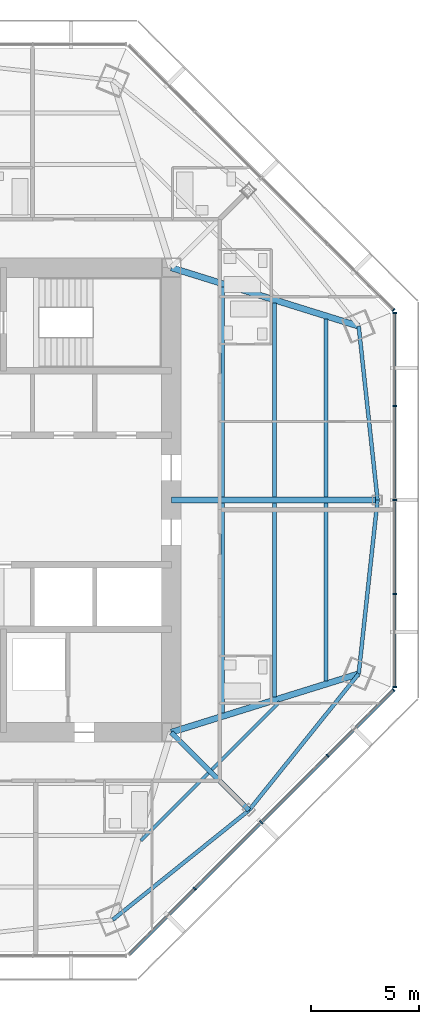
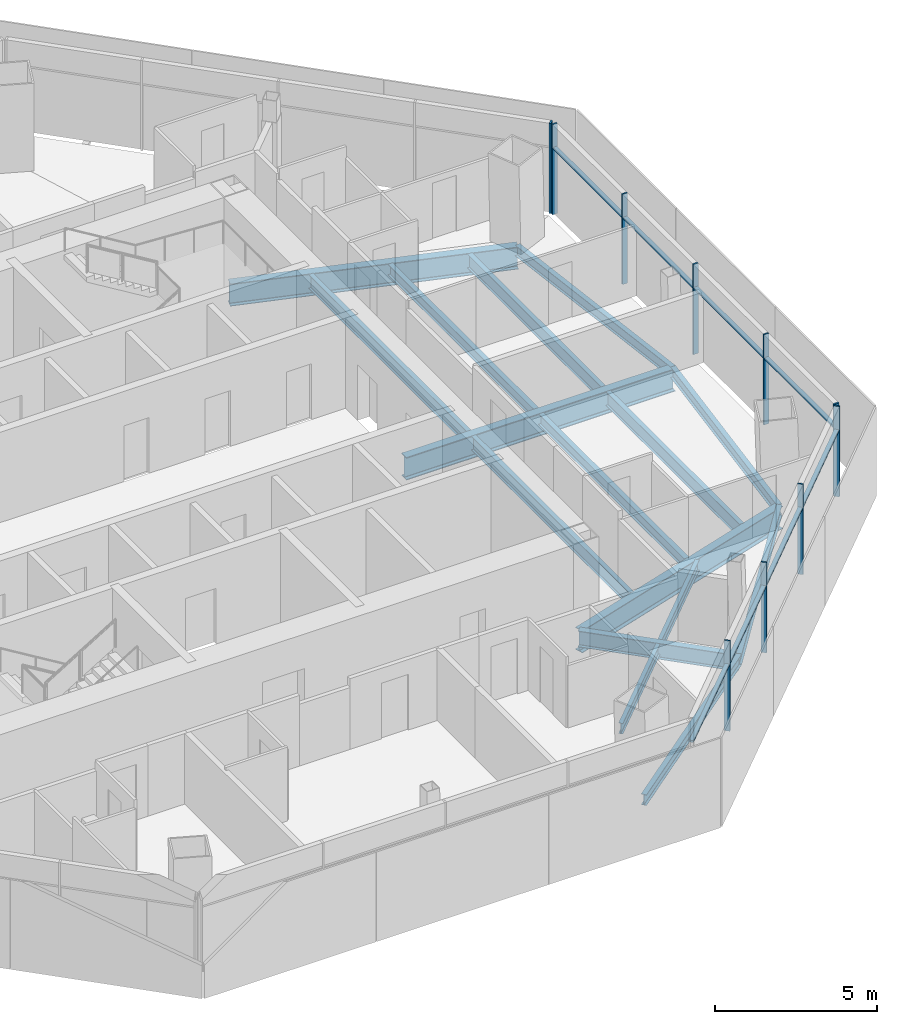
# One storey, part 4 of 14: 18 members, 16 beams, 3 elements without a shape of their own.
"""IFC4 building model written with IfcOpenShell, lengths in metres."""

from ifc_helpers import new_model, si_unit, direction, frame, origin, origin_2d, place, context, subcontext, project, spatial, rectangle, i_section, extrude, source, transform, mapped, material, material_profile, profile_set, type_object, type_shapes, element, aggregate, save


model = new_model("IFC4")

# Units and contexts
model_context = context("Model", 3, precision=1e-05, world=origin(), true_north=direction((0.0, 1.0)))
body_context = subcontext(model_context, "Body", "Model", "MODEL_VIEW")
ifc_project = project(units=[si_unit("LENGTHUNIT", "METRE"), si_unit("AREAUNIT", "SQUARE_METRE"), si_unit("VOLUMEUNIT", "CUBIC_METRE"), si_unit("PLANEANGLEUNIT", "RADIAN"), si_unit("MASSUNIT", "GRAM", prefix="KILO")], contexts=[model_context])

# Site, building, storey
site_placement = place(None, origin())
site = spatial("IfcSite", under=ifc_project, at=site_placement, CompositionType="ELEMENT")
building_placement = place(site_placement, origin())
building = spatial("IfcBuilding", under=site, at=building_placement, Name="Mashrafa Tower", CompositionType="ELEMENT")
storey_placement = place(building_placement, frame((0.0, 0.0, 241.39990234375)))
storey = spatial("IfcBuildingStorey", under=building, at=storey_placement, Name="L57", CompositionType="ELEMENT", Elevation=241.39990234375)

# Beams
ifc_material_1 = material(Name="Steel ASTM A992", Category="steel")
ifc_material_profile_1 = material_profile(ifc_material_1, i_section(OverallWidth=0.140380859375, OverallDepth=0.40380859375, WebThickness=0.007080078125, FlangeThickness=0.01123046875, FilletRadius=0.01025390625, at=origin_2d()), Name="W16X31")
ifc_profile_set_1 = profile_set([ifc_material_profile_1], Name="Steel ASTM A992")
beam_type_1 = type_object("IfcBeamType", Name="Beam W16X31", PredefinedType="BEAM", material=ifc_profile_set_1)
for number, where, z_axis, x_axis, name in (
    (1, (12.52880859375, -12.690185546875, -0.40185546875), (-0.707106781187, -0.707106781187, 0.0), (0.707106781187, -0.707106781187, 0.0), "Floor beam L57 024"),
    (2, (15.8369140625, -9.382080078125, -0.40185546875), (-0.707106781187, -0.707106781187, 0.0), (0.707106781187, -0.707106781187, 0.0), "Floor beam L57 030"),
):
    element("IfcBeam", number, at=place(storey_placement, frame(where, z_axis=z_axis, x_axis=x_axis)), inside=storey, type_object=beam_type_1, Name=name, PredefinedType="BEAM", context=body_context, shape_type="SweptSolid", body=[
        extrude(i_section(OverallWidth=0.140380859375, OverallDepth=0.40380859375, WebThickness=0.007080078125, FlangeThickness=0.01123046875, FilletRadius=0.01025390625, at=origin_2d()), origin(), (0.0, 0.0, 1.0), 4.4501953125),
    ])
ifc_material_2 = material(Name="Steel ASTM A992", Category="steel")
ifc_material_profile_2 = material_profile(ifc_material_2, i_section(OverallWidth=0.177734375, OverallDepth=0.406494140625, WebThickness=0.0078125, FlangeThickness=0.012939453125, FilletRadius=0.01025390625, at=origin_2d()), Name="W16X40")
ifc_profile_set_2 = profile_set([ifc_material_profile_2], Name="Steel ASTM A992")
beam_type_2 = type_object("IfcBeamType", Name="Beam W16X40", PredefinedType="BEAM", material=ifc_profile_set_2)
for number, where, z_axis, x_axis, name in (
    (3, (15.595703125, -0.14599609375, -0.403076171875), (0.0, -1.0, 0.0), (1.0, 0.0, 0.0), "Floor beam L57 028"),
    (4, (15.595703125, 9.1513671875, -0.403076171875), (0.0, -1.0, 0.0), (1.0, 0.0, 0.0), "Floor beam L57 029"),
):
    element("IfcBeam", number, at=place(storey_placement, frame(where, z_axis=z_axis, x_axis=x_axis)), inside=storey, type_object=beam_type_2, Name=name, PredefinedType="BEAM", context=body_context, shape_type="SweptSolid", body=[
        extrude(i_section(OverallWidth=0.177734375, OverallDepth=0.406494140625, WebThickness=0.0078125, FlangeThickness=0.012939453125, FilletRadius=0.01025390625, at=origin_2d()), origin(), (0.0, 0.0, 1.0), 9.00537109375),
    ])
for number, where, z_axis, x_axis, name in (
    (5, (8.082763671875, -19.51318359375, -0.403076171875), (0.779348929905, 0.626590173444, 0.0), (-0.626590173444, 0.779348929905, 0.0), "Spandrel beam L57 058"),
    (6, (14.4189453125, -14.4189453125, -0.403076171875), (0.626590173444, 0.779348929905, 0.0), (-0.779348929905, 0.626590173444, 0.0), "Spandrel beam L57 060"),
):
    element("IfcBeam", number, at=place(storey_placement, frame(where, z_axis=z_axis, x_axis=x_axis)), inside=storey, type_object=beam_type_2, Name=name, PredefinedType="BEAM", context=body_context, shape_type="SweptSolid", body=[
        extrude(i_section(OverallWidth=0.177734375, OverallDepth=0.406494140625, WebThickness=0.0078125, FlangeThickness=0.012939453125, FilletRadius=0.01025390625, at=origin_2d()), origin(), (0.0, 0.0, 1.0), 8.130126953125),
    ])
for number, where, z_axis, x_axis, name in (
    (7, (19.51318359375, -8.082763671875, -0.403076171875), (0.108041761262, 0.99414635634, 0.0), (-0.99414635634, 0.108041761262, 0.0), "Spandrel beam L57 062"),
    (8, (20.3916015625, 0.0, -0.403076171875), (-0.108041761262, 0.99414635634, 0.0), (-0.99414635634, -0.108041761262, 0.0), "Spandrel beam L57 064"),
):
    element("IfcBeam", number, at=place(storey_placement, frame(where, z_axis=z_axis, x_axis=x_axis)), inside=storey, type_object=beam_type_2, Name=name, PredefinedType="BEAM", context=body_context, shape_type="SweptSolid", body=[
        extrude(i_section(OverallWidth=0.177734375, OverallDepth=0.406494140625, WebThickness=0.0078125, FlangeThickness=0.012939453125, FilletRadius=0.01025390625, at=origin_2d()), origin(), (0.0, 0.0, 1.0), 8.13037109375),
    ])
ifc_material_3 = material(Name="Steel ASTM A992", Category="steel")
ifc_material_profile_3 = material_profile(ifc_material_3, i_section(OverallWidth=0.165771484375, OverallDepth=0.5283203125, WebThickness=0.009765625, FlangeThickness=0.013671875, FilletRadius=0.012939453125, at=origin_2d()), Name="W21X50")
ifc_profile_set_3 = profile_set([ifc_material_profile_3], Name="Steel ASTM A992")
beam_type_3 = type_object("IfcBeamType", Name="Beam W21X50", PredefinedType="BEAM", material=ifc_profile_set_3)
for number, where, z_axis, x_axis, name in (
    (9, (13.197998046875, -0.14599609375, -0.464111328125), (0.0, -1.0, 0.0), (1.0, 0.0, 0.0), "Floor beam L57 026"),
    (10, (13.197998046875, 9.899169921875, -0.464111328125), (0.0, -1.0, 0.0), (1.0, 0.0, 0.0), "Floor beam L57 027"),
):
    element("IfcBeam", number, at=place(storey_placement, frame(where, z_axis=z_axis, x_axis=x_axis)), inside=storey, type_object=beam_type_3, Name=name, PredefinedType="BEAM", context=body_context, shape_type="SweptSolid", body=[
        extrude(i_section(OverallWidth=0.165771484375, OverallDepth=0.5283203125, WebThickness=0.009765625, FlangeThickness=0.013671875, FilletRadius=0.012939453125, at=origin_2d()), origin(), (0.0, 0.0, 1.0), 9.753173828125),
    ])
for number, where, z_axis, x_axis, name in (
    (11, (17.99365234375, -0.14599609375, -0.464111328125), (0.0, -1.0, 0.0), (1.0, 0.0, 0.0), "Floor beam L57 031"),
    (12, (17.99365234375, 8.403564453125, -0.464111328125), (0.0, -1.0, 0.0), (1.0, 0.0, 0.0), "Floor beam L57 032"),
):
    element("IfcBeam", number, at=place(storey_placement, frame(where, z_axis=z_axis, x_axis=x_axis)), inside=storey, type_object=beam_type_3, Name=name, PredefinedType="BEAM", context=body_context, shape_type="SweptSolid", body=[
        extrude(i_section(OverallWidth=0.165771484375, OverallDepth=0.5283203125, WebThickness=0.009765625, FlangeThickness=0.013671875, FilletRadius=0.012939453125, at=origin_2d()), origin(), (0.0, 0.0, 1.0), 8.257568359375),
    ])
ifc_material_4 = material(Name="Steel ASTM A992", Category="steel")
ifc_material_profile_4 = material_profile(ifc_material_4, i_section(OverallWidth=0.227783203125, OverallDepth=0.60205078125, WebThickness=0.010498046875, FlangeThickness=0.014892578125, FilletRadius=0.012939453125, at=origin_2d()), Name="W24X68")
ifc_profile_set_4 = profile_set([ifc_material_profile_4], Name="Steel ASTM A992")
beam_type_4 = type_object("IfcBeamType", Name="Beam W24X68", PredefinedType="BEAM", material=ifc_profile_set_4)
beam_1_placement = place(storey_placement, frame((10.800048828125, -10.800048828125, -0.5009765625), z_axis=(0.707106781187, -0.707106781187, 0.0), x_axis=(0.707106781187, 0.707106781187, 0.0)))
element("IfcBeam", 13, at=beam_1_placement, inside=storey, type_object=beam_type_4, Name="Radial girder L57 043", PredefinedType="BEAM", context=body_context, shape_type="SweptSolid", body=[
    extrude(i_section(OverallWidth=0.227783203125, OverallDepth=0.60205078125, WebThickness=0.010498046875, FlangeThickness=0.014892578125, FilletRadius=0.012939453125, at=origin_2d()), origin(), (0.0, 0.0, 1.0), 5.117919921875),
])
ifc_material_5 = material(Name="Steel ASTM A992", Category="steel")
ifc_material_profile_5 = material_profile(ifc_material_5, i_section(OverallWidth=0.2919921875, OverallDepth=0.8408203125, WebThickness=0.0146484375, FlangeThickness=0.021728515625, FilletRadius=0.017333984375, at=origin_2d()), Name="W33X130")
ifc_profile_set_5 = profile_set([ifc_material_profile_5], Name="Steel ASTM A992")
beam_type_5 = type_object("IfcBeamType", Name="Beam W33X130", PredefinedType="BEAM", material=ifc_profile_set_5)
for number, where, z_axis, x_axis, name in (
    (14, (10.800048828125, -10.800048828125, -0.620361328125), (0.954653543393, 0.297719015326, 0.0), (-0.297719015326, 0.954653543393, 0.0), "Radial girder L57 044"),
    (15, (10.800048828125, 10.800048828125, -0.620361328125), (0.954653543393, -0.297719015326, 0.0), (0.297719015326, 0.954653543393, 0.0), "Radial girder L57 048"),
):
    element("IfcBeam", number, at=place(storey_placement, frame(where, z_axis=z_axis, x_axis=x_axis)), inside=storey, type_object=beam_type_5, Name=name, PredefinedType="BEAM", context=body_context, shape_type="SweptSolid", body=[
        extrude(i_section(OverallWidth=0.2919921875, OverallDepth=0.8408203125, WebThickness=0.0146484375, FlangeThickness=0.021728515625, FilletRadius=0.017333984375, at=origin_2d()), origin(), (0.0, 0.0, 1.0), 9.126953125),
    ])
ifc_material_6 = material(Name="Steel ASTM A992", Category="steel")
ifc_material_profile_6 = material_profile(ifc_material_6, i_section(OverallWidth=0.2919921875, OverallDepth=0.8583984375, WebThickness=0.01708984375, FlangeThickness=0.031005859375, FilletRadius=0.017822265625, at=origin_2d()), Name="W33X169")
ifc_profile_set_6 = profile_set([ifc_material_profile_6], Name="Steel ASTM A992")
beam_type_6 = type_object("IfcBeamType", Name="Beam W33X169", PredefinedType="BEAM", material=ifc_profile_set_6)
beam_2_placement = place(storey_placement, frame((10.800048828125, 0.0, -0.629150390625), z_axis=(1.0, 0.0, 0.0), x_axis=(0.0, 1.0, 0.0)))
element("IfcBeam", 16, at=beam_2_placement, inside=storey, type_object=beam_type_6, Name="Radial girder L57 045", PredefinedType="BEAM", context=body_context, shape_type="SweptSolid", body=[
    extrude(i_section(OverallWidth=0.2919921875, OverallDepth=0.8583984375, WebThickness=0.01708984375, FlangeThickness=0.031005859375, FilletRadius=0.017822265625, at=origin_2d()), origin(), (0.0, 0.0, 1.0), 9.591552734375),
])

# Curtain wall, members
ifc_material_7 = material(Name="Unitised aluminium curtain wall", Category="aluminium")
curtain_wall_type = type_object("IfcCurtainWallType", Name="Apartment curtain wall, zone 3 CW-C 180 deep", PredefinedType="NOTDEFINED", material=ifc_material_7)
curtain_wall_1_placement = place(storey_placement, origin())
curtain_wall_1 = element("IfcCurtainWall", 17, at=curtain_wall_1_placement, inside=storey, type_object=curtain_wall_type, Name="Apartment curtain wall, zone 3 L57 east", PredefinedType="NOTDEFINED")
ifc_material_8 = material(Name="Extruded aluminium mullion", Category="aluminium")
ifc_material_profile_7 = material_profile(ifc_material_8, rectangle(XDim=0.179931640625, YDim=0.06005859375, at=origin_2d()), Name="Mullion 60x180")
ifc_profile_set_7 = profile_set([ifc_material_profile_7], Name="Extruded aluminium mullion")
member_type_1 = type_object("IfcMemberType", Name="Mullion CW-C 60 x 180", PredefinedType="MULLION", material=ifc_profile_set_7)
shared_shape_1 = source(origin(), body_context, "Body", "SweptSolid", [
    extrude(rectangle(XDim=0.179931640625, YDim=0.06005859375, at=origin_2d()), origin(), (0.0, 0.0, 1.0), 3.400146484375),
])
type_shapes(member_type_1, [shared_shape_1])
member_1_placement = place(storey_placement, frame((21.185791015625, -8.6982421875, 0.0), z_axis=(0.0, 0.0, 1.0), x_axis=(-1.0, 0.0, 0.0)))
member_1 = element("IfcMember", 18, at=member_1_placement, type_object=member_type_1, Name="CW-C mullion 1", PredefinedType="MULLION", context=body_context, shape_type="MappedRepresentation", body=[
    mapped(shared_shape_1, transform((0.0, 0.0, 0.0))),
])
member_2_placement = place(storey_placement, frame((21.185791015625, -4.364013671875, 0.0), z_axis=(0.0, 0.0, 1.0), x_axis=(-1.0, 0.0, 0.0)))
member_2 = element("IfcMember", 19, at=member_2_placement, type_object=member_type_1, Name="CW-C mullion 2", PredefinedType="MULLION", context=body_context, shape_type="MappedRepresentation", body=[
    mapped(shared_shape_1, transform((0.0, 0.0, 0.0))),
])
member_3_placement = place(storey_placement, frame((21.185791015625, 0.0, 0.0), z_axis=(0.0, 0.0, 1.0), x_axis=(-1.0, 0.0, 0.0)))
member_3 = element("IfcMember", 20, at=member_3_placement, type_object=member_type_1, Name="CW-C mullion 3", PredefinedType="MULLION", context=body_context, shape_type="MappedRepresentation", body=[
    mapped(shared_shape_1, transform((0.0, 0.0, 0.0))),
])
member_4_placement = place(storey_placement, frame((21.185791015625, 4.364013671875, 0.0), z_axis=(0.0, 0.0, 1.0), x_axis=(-1.0, 0.0, 0.0)))
member_4 = element("IfcMember", 21, at=member_4_placement, type_object=member_type_1, Name="CW-C mullion 4", PredefinedType="MULLION", context=body_context, shape_type="MappedRepresentation", body=[
    mapped(shared_shape_1, transform((0.0, 0.0, 0.0))),
])
member_5_placement = place(storey_placement, frame((21.185791015625, 8.6982421875, 0.0), z_axis=(0.0, 0.0, 1.0), x_axis=(-1.0, 0.0, 0.0)))
member_5 = element("IfcMember", 22, at=member_5_placement, type_object=member_type_1, Name="CW-C mullion 5", PredefinedType="MULLION", context=body_context, shape_type="MappedRepresentation", body=[
    mapped(shared_shape_1, transform((0.0, 0.0, 0.0))),
])

# Curtain wall, member
curtain_wall_2_placement = place(storey_placement, origin())
curtain_wall_2 = element("IfcCurtainWall", 23, at=curtain_wall_2_placement, inside=storey, type_object=curtain_wall_type, Name="Apartment curtain wall, zone 3 L57 north-east", PredefinedType="NOTDEFINED")
member_6_placement = place(storey_placement, frame((21.131103515625, 8.830078125, 0.0), z_axis=(0.0, 0.0, 1.0), x_axis=(-0.707106781187, -0.707106781187, 0.0)))
member_6 = element("IfcMember", 24, at=member_6_placement, type_object=member_type_1, Name="CW-C mullion 1", PredefinedType="MULLION", context=body_context, shape_type="MappedRepresentation", body=[
    mapped(shared_shape_1, transform((0.0, 0.0, 0.0))),
])
aggregate(curtain_wall_2, [member_6])

# Curtain wall, members
curtain_wall_3_placement = place(storey_placement, origin())
curtain_wall_3 = element("IfcCurtainWall", 25, at=curtain_wall_3_placement, inside=storey, type_object=curtain_wall_type, Name="Apartment curtain wall, zone 3 L57 south-east", PredefinedType="NOTDEFINED")
member_7_placement = place(storey_placement, frame((11.894775390625, -18.066650390625, 0.0), z_axis=(0.0, 0.0, 1.0), x_axis=(-0.707106781187, 0.707106781187, 0.0)))
member_7 = element("IfcMember", 26, at=member_7_placement, type_object=member_type_1, Name="CW-C mullion 2", PredefinedType="MULLION", context=body_context, shape_type="MappedRepresentation", body=[
    mapped(shared_shape_1, transform((0.0, 0.0, 0.0))),
])
member_8_placement = place(storey_placement, frame((14.980712890625, -14.980712890625, 0.0), z_axis=(0.0, 0.0, 1.0), x_axis=(-0.707106781187, 0.707106781187, 0.0)))
member_8 = element("IfcMember", 27, at=member_8_placement, type_object=member_type_1, Name="CW-C mullion 3", PredefinedType="MULLION", context=body_context, shape_type="MappedRepresentation", body=[
    mapped(shared_shape_1, transform((0.0, 0.0, 0.0))),
])
member_9_placement = place(storey_placement, frame((18.066650390625, -11.894775390625, 0.0), z_axis=(0.0, 0.0, 1.0), x_axis=(-0.707106781187, 0.707106781187, 0.0)))
member_9 = element("IfcMember", 28, at=member_9_placement, type_object=member_type_1, Name="CW-C mullion 4", PredefinedType="MULLION", context=body_context, shape_type="MappedRepresentation", body=[
    mapped(shared_shape_1, transform((0.0, 0.0, 0.0))),
])
member_10_placement = place(storey_placement, frame((21.131103515625, -8.830078125, 0.0), z_axis=(0.0, 0.0, 1.0), x_axis=(-0.707106781187, 0.707106781187, 0.0)))
member_10 = element("IfcMember", 29, at=member_10_placement, type_object=member_type_1, Name="CW-C mullion 5", PredefinedType="MULLION", context=body_context, shape_type="MappedRepresentation", body=[
    mapped(shared_shape_1, transform((0.0, 0.0, 0.0))),
])

# Member
ifc_material_9 = material(Name="Extruded aluminium transom", Category="aluminium")
ifc_material_profile_8 = material_profile(ifc_material_9, rectangle(XDim=0.14404296875, YDim=0.074951171875, at=origin_2d()), Name="Transom 75x144")
ifc_profile_set_8 = profile_set([ifc_material_profile_8], Name="Extruded aluminium transom")
member_type_2 = type_object("IfcMemberType", Name="Transom CW-C 75 x 144", PredefinedType="MULLION", material=ifc_profile_set_8)
shared_shape_2 = source(origin(), body_context, "Body", "SweptSolid", [
    extrude(rectangle(XDim=0.14404296875, YDim=0.074951171875, at=origin_2d()), origin(), (0.0, 0.0, 1.0), 4.274169921875),
])
member_11_placement = place(storey_placement, frame((21.185791015625, -8.668212890625, 2.5), z_axis=(0.0, 1.0, 0.0), x_axis=(-1.0, 0.0, 0.0)))
member_11 = element("IfcMember", 30, at=member_11_placement, type_object=member_type_2, Name="CW-C transom 1", PredefinedType="MULLION", context=body_context, shape_type="MappedRepresentation", body=[
    mapped(shared_shape_2, transform((0.0, 0.0, 0.0))),
])

member_12_placement = place(storey_placement, frame((21.185791015625, 4.39404296875, 2.5), z_axis=(0.0, 1.0, 0.0), x_axis=(-1.0, 0.0, 0.0)))
member_12 = element("IfcMember", 31, at=member_12_placement, type_object=member_type_2, Name="CW-C transom 4", PredefinedType="MULLION", context=body_context, shape_type="MappedRepresentation", body=[
    mapped(shared_shape_2, transform((0.0, 0.0, 0.0))),
])

member_13_placement = place(storey_placement, frame((8.851318359375, -21.110107421875, 2.5), z_axis=(0.707078221024, 0.707135340195, 0.0), x_axis=(-0.707135340195, 0.707078221024, 0.0)))
member_13 = element("IfcMember", 32, at=member_13_placement, type_object=member_type_2, Name="CW-C transom 1", PredefinedType="MULLION", context=body_context, shape_type="MappedRepresentation", body=[
    mapped(shared_shape_2, transform((0.0, 0.0, 0.0))),
])

member_14_placement = place(storey_placement, frame((18.087646484375, -11.87353515625, 2.5), z_axis=(0.707135340195, 0.707078221024, 0.0), x_axis=(-0.707078221024, 0.707135340195, 0.0)))
member_14 = element("IfcMember", 33, at=member_14_placement, type_object=member_type_2, Name="CW-C transom 4", PredefinedType="MULLION", context=body_context, shape_type="MappedRepresentation", body=[
    mapped(shared_shape_2, transform((0.0, 0.0, 0.0))),
])

shared_shape_3 = source(origin(), body_context, "Body", "SweptSolid", [
    extrude(rectangle(XDim=0.14404296875, YDim=0.074951171875, at=origin_2d()), origin(), (0.0, 0.0, 1.0), 4.303955078125),
])
member_15_placement = place(storey_placement, frame((21.185791015625, -4.333984375, 2.5), z_axis=(0.0, 1.0, 0.0), x_axis=(-1.0, 0.0, 0.0)))
member_15 = element("IfcMember", 34, at=member_15_placement, type_object=member_type_2, Name="CW-C transom 2", PredefinedType="MULLION", context=body_context, shape_type="MappedRepresentation", body=[
    mapped(shared_shape_3, transform((0.0, 0.0, 0.0))),
])

member_16_placement = place(storey_placement, frame((21.185791015625, 0.030029296875, 2.5), z_axis=(0.0, 1.0, 0.0), x_axis=(-1.0, 0.0, 0.0)))
member_16 = element("IfcMember", 35, at=member_16_placement, type_object=member_type_2, Name="CW-C transom 3", PredefinedType="MULLION", context=body_context, shape_type="MappedRepresentation", body=[
    mapped(shared_shape_3, transform((0.0, 0.0, 0.0))),
])

aggregate(curtain_wall_1, [member_1, member_2, member_3, member_4, member_5, member_11, member_15, member_16, member_12])

shared_shape_4 = source(origin(), body_context, "Body", "SweptSolid", [
    extrude(rectangle(XDim=0.14404296875, YDim=0.074951171875, at=origin_2d()), origin(), (0.0, 0.0, 1.0), 4.30419921875),
])
type_shapes(member_type_2, [shared_shape_2, shared_shape_3, shared_shape_4])
member_17_placement = place(storey_placement, frame((11.916015625, -18.04541015625, 2.5), z_axis=(0.707106781187, 0.707106781187, 0.0), x_axis=(-0.707106781187, 0.707106781187, 0.0)))
member_17 = element("IfcMember", 36, at=member_17_placement, type_object=member_type_2, Name="CW-C transom 2", PredefinedType="MULLION", context=body_context, shape_type="MappedRepresentation", body=[
    mapped(shared_shape_4, transform((0.0, 0.0, 0.0))),
])

member_18_placement = place(storey_placement, frame((15.001953125, -14.95947265625, 2.5), z_axis=(0.707106781187, 0.707106781187, 0.0), x_axis=(-0.707106781187, 0.707106781187, 0.0)))
member_18 = element("IfcMember", 37, at=member_18_placement, type_object=member_type_2, Name="CW-C transom 3", PredefinedType="MULLION", context=body_context, shape_type="MappedRepresentation", body=[
    mapped(shared_shape_4, transform((0.0, 0.0, 0.0))),
])

aggregate(curtain_wall_3, [member_7, member_8, member_9, member_10, member_13, member_17, member_18, member_14])

save(model, "model.ifc")
